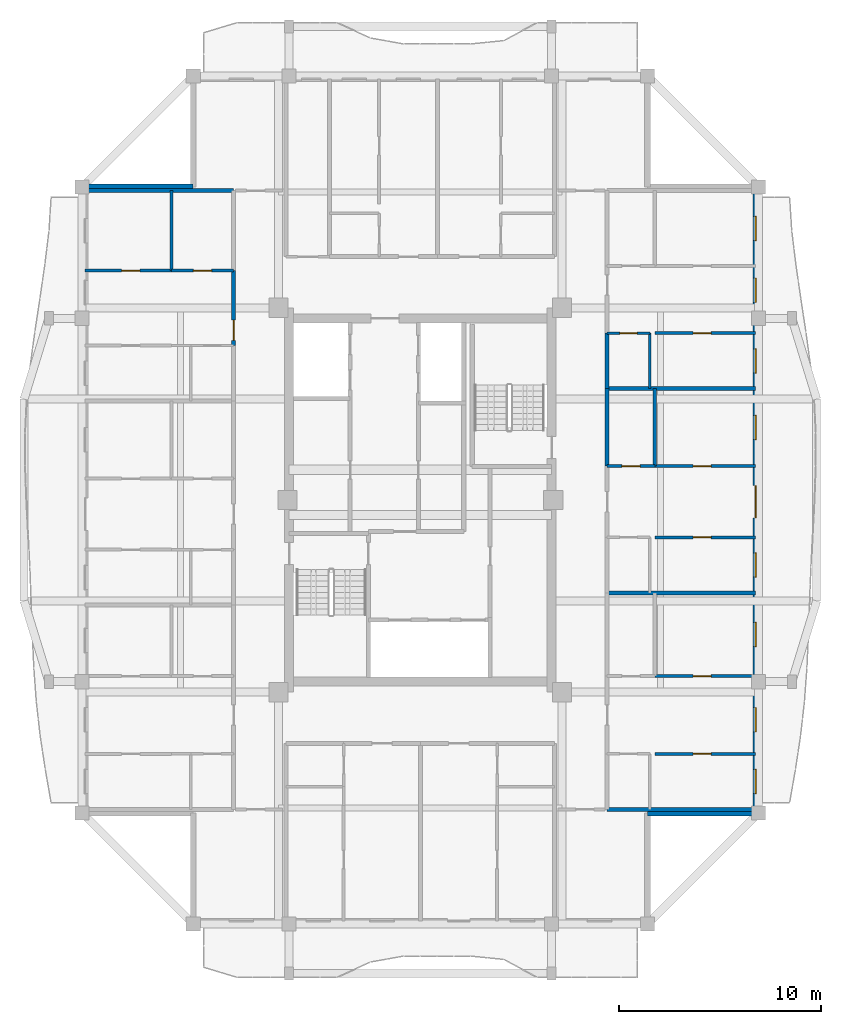
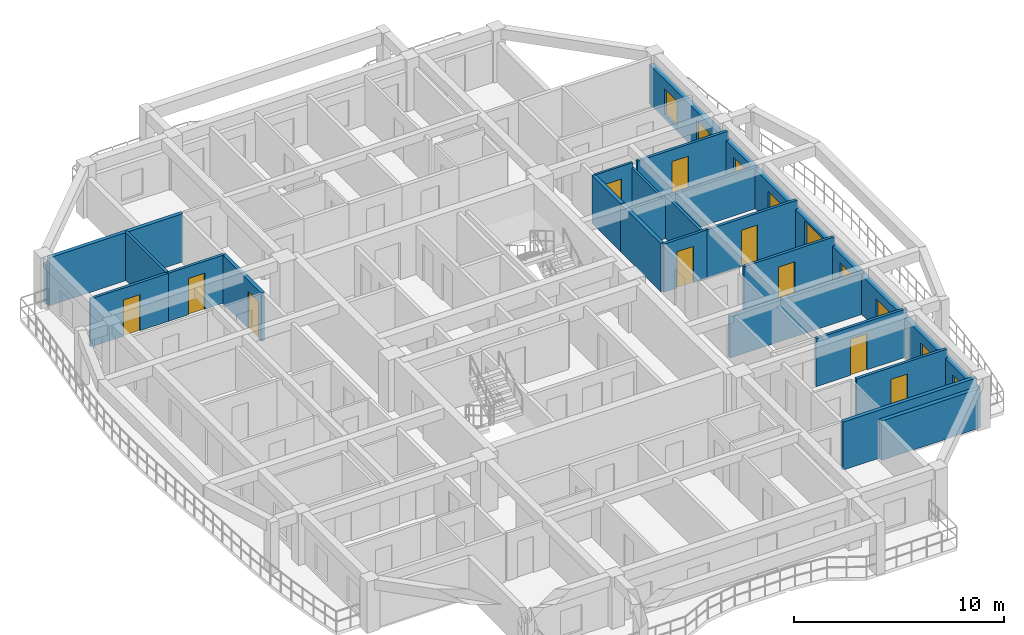
# One storey, part 5 of 13: 22 walls, 11 doors, 8 windows, 19 openings.
"""IFC4 building model written with IfcOpenShell, lengths in metres."""

import ifcopenshell
import ifcopenshell.guid

model = None  # the IFC model being written
_history = None  # IfcOwnerHistory: only IFC2X3 demands one
_inside = {}  # id of a spatial element -> (the spatial element, [elements in it])
_under = {}  # id of a project, library or spatial element -> (it, [spatial elements below it])
_declared = {}  # id of a project -> (the project, [libraries it declares])
_typed = {}  # id of a type object -> (the type object, [elements of that type])
_made_of = {}  # id of a material, layer set ... -> (it, [elements and type objects made of it])


def new_model(schema):
    """Start an empty IFC model of exactly this schema.

    Asked for "IFC4X3", IfcOpenShell would pick the latest addendum, in which some entities
    have other attributes; the version numbers below select the first issue.
    IFC2X3 requires an IfcOwnerHistory on every rooted entity: one is made here for all.
    """
    global model, _history
    if schema == "IFC4X3":
        model = ifcopenshell.file(schema_version=(4, 3, 0, 0))
    else:
        model = ifcopenshell.file(schema=schema)
    _inside.clear()
    _under.clear()
    _declared.clear()
    _typed.clear()
    _made_of.clear()
    _history = None
    if model.schema == "IFC2X3":
        org = make("IfcOrganization", Name="unknown")
        user = make(
            "IfcPersonAndOrganization",
            ThePerson=make("IfcPerson", FamilyName="unknown"),
            TheOrganization=org,
        )
        app = make(
            "IfcApplication",
            ApplicationDeveloper=org,
            Version="unknown",
            ApplicationFullName="unknown",
            ApplicationIdentifier="unknown",
        )
        _history = make(
            "IfcOwnerHistory",
            OwningUser=user,
            OwningApplication=app,
            ChangeAction="ADDED",
            CreationDate=0,
        )
    return model


def make(cls, **values):
    """One entity of the class cls with the attributes given. An attribute that is None is left unset."""
    return model.create_entity(
        cls, **{name: value for name, value in values.items() if value is not None}
    )


def rooted(cls, **values):
    """An entity with a GlobalId (a new one), such as an element, a storey or a relation."""
    return make(cls, GlobalId=ifcopenshell.guid.new(), OwnerHistory=_history, **values)


def si_unit(unit_type, name, prefix=None):
    """IfcSIUnit, for example si_unit("LENGTHUNIT", "METRE", prefix="MILLI")."""
    return make("IfcSIUnit", UnitType=unit_type, Prefix=prefix, Name=name)


def assignment(units):
    """IfcUnitAssignment: the units of a project."""
    return None if units is None else make("IfcUnitAssignment", Units=units)


def point(xyz):
    """IfcCartesianPoint."""
    return None if xyz is None else make("IfcCartesianPoint", Coordinates=xyz)


def direction(xyz):
    """IfcDirection."""
    return None if xyz is None else make("IfcDirection", DirectionRatios=xyz)


def frame(location, z_axis=None, x_axis=None):
    """IfcAxis2Placement3D, a coordinate frame: its origin and axes. An axis left out is left unset."""
    return make(
        "IfcAxis2Placement3D",
        Location=point(location),
        Axis=direction(z_axis),
        RefDirection=direction(x_axis),
    )


def frame_2d(location, x_axis=None):
    """IfcAxis2Placement2D, a coordinate frame in the plane: its origin and x axis."""
    return make(
        "IfcAxis2Placement2D", Location=point(location), RefDirection=direction(x_axis)
    )


def origin():
    """The frame at (0, 0, 0) with its axes left unset."""
    return frame((0.0, 0.0, 0.0))


def place(relative_to, where):
    """IfcLocalPlacement: puts the frame where relative to a parent placement (None: the world)."""
    return make(
        "IfcLocalPlacement", PlacementRelTo=relative_to, RelativePlacement=where
    )


def context(
    kind, dimensions, precision=None, world=None, true_north=None, identifier=None
):
    """IfcGeometricRepresentationContext, for example the 3D "Model" context."""
    return make(
        "IfcGeometricRepresentationContext",
        ContextIdentifier=identifier,
        ContextType=kind,
        CoordinateSpaceDimension=dimensions,
        Precision=precision,
        WorldCoordinateSystem=world,
        TrueNorth=true_north,
    )


def subcontext(parent, identifier, kind, view, scale=None):
    """IfcGeometricRepresentationSubContext, for example "Body" below "Model"."""
    return make(
        "IfcGeometricRepresentationSubContext",
        ContextIdentifier=identifier,
        ContextType=kind,
        ParentContext=parent,
        TargetScale=scale,
        TargetView=view,
    )


def project(units=None, contexts=None):
    """IfcProject with its units and contexts."""
    return rooted(
        "IfcProject",
        Name="project",
        RepresentationContexts=contexts,
        UnitsInContext=assignment(units),
    )


def spatial(cls, under=None, at=None, **own):
    """A site, building, storey or space (cls), placed at a placement, below another one or the project."""
    s = rooted(cls, ObjectPlacement=at, **own)
    if under is not None:
        _under.setdefault(under.id(), (under, []))[1].append(s)
    return s


def profile(cls, at=None, kind="AREA", **sizes):
    """A parametric profile (cls). Its sizes go by their IFC names, for example OverallWidth=200.0."""
    return make(cls, ProfileType=kind, Position=at, **sizes)


def rectangle(**sizes):
    """IfcRectangleProfileDef."""
    return profile("IfcRectangleProfileDef", **sizes)


def extrude(swept, where, along, depth):
    """IfcExtrudedAreaSolid: the profile swept, set in the frame where, extruded along a direction by depth."""
    return make(
        "IfcExtrudedAreaSolid",
        SweptArea=swept,
        Position=where,
        ExtrudedDirection=direction(along),
        Depth=depth,
    )


def shape(context_of_items, identifier, shape_type, items):
    """IfcShapeRepresentation: the items that make up one representation, for example the "Body"."""
    return make(
        "IfcShapeRepresentation",
        ContextOfItems=context_of_items,
        RepresentationIdentifier=identifier,
        RepresentationType=shape_type,
        Items=items,
    )


def source(mapping_origin, context_of_items, identifier, shape_type, items):
    """IfcRepresentationMap: a shape defined once, which mapped items show again and again."""
    return make(
        "IfcRepresentationMap",
        MappingOrigin=mapping_origin,
        MappedRepresentation=shape(context_of_items, identifier, shape_type, items),
    )


def transform(
    local_origin,
    x_axis=None,
    y_axis=None,
    z_axis=None,
    scale=None,
    scale2=None,
    scale3=None,
    uniform=True,
):
    """IfcCartesianTransformationOperator3D, or its non-uniform kind. x_axis, y_axis, z_axis: its Axis1, 2, 3."""
    if uniform:
        return make(
            "IfcCartesianTransformationOperator3D",
            Axis1=direction(x_axis),
            Axis2=direction(y_axis),
            LocalOrigin=point(local_origin),
            Scale=scale,
            Axis3=direction(z_axis),
        )
    return make(
        "IfcCartesianTransformationOperator3DnonUniform",
        Axis1=direction(x_axis),
        Axis2=direction(y_axis),
        LocalOrigin=point(local_origin),
        Scale=scale,
        Axis3=direction(z_axis),
        Scale2=scale2,
        Scale3=scale3,
    )


def mapped(mapping_source, mapping_target):
    """IfcMappedItem: shows the shape of a source again, moved by a transform."""
    return make(
        "IfcMappedItem", MappingSource=mapping_source, MappingTarget=mapping_target
    )


def material(Name=None, Category=None):
    """IfcMaterial."""
    return make("IfcMaterial", Name=Name, Category=Category)


def layer(
    of_material, thickness, ventilated=None, Name=None, Category=None, Priority=None
):
    """IfcMaterialLayer: one layer of a wall or slab, of a material (None: an air gap)."""
    return make(
        "IfcMaterialLayer",
        Material=of_material,
        LayerThickness=thickness,
        IsVentilated=ventilated,
        Name=Name,
        Category=Category,
        Priority=Priority,
    )


def layer_set(layers, Name=None):
    """IfcMaterialLayerSet."""
    return make("IfcMaterialLayerSet", MaterialLayers=layers, LayerSetName=Name)


def made_of(thing, what):
    """Note that an element or type object is made of a material, layer set ...; save() writes the relation."""
    if what is not None:
        _made_of.setdefault(what.id(), (what, []))[1].append(thing)
    return thing


def type_object(cls, material=None, **own):
    """A type object (cls), such as IfcWallType, which elements share."""
    return made_of(rooted(cls, **own), material)


def element(
    cls,
    number,
    at=None,
    inside=None,
    cuts=None,
    type_object=None,
    material=None,
    context=None,
    identifier="Body",
    shape_type=None,
    held_by="IfcProductDefinitionShape",
    body=None,
    shapes=None,
    **own,
):
    """One element of the class cls, such as IfcWall. Its Tag is "e" and its number.

    at: its placement. inside: the storey or other place that contains it. cuts: it is an
    opening in that element (IfcRelVoidsElement). A single representation is given by context,
    identifier, shape_type and body (its items); several are given by shapes. held_by: the class
    of the entity that holds the representations. save() writes the other relations.
    """
    e = rooted(cls, Tag="e%d" % number, ObjectPlacement=at, **own)
    if body is not None:
        shapes = [shape(context, identifier, shape_type, body)]
    if shapes is not None:
        e.Representation = make(held_by, Representations=shapes)
    if inside is not None:
        _inside.setdefault(inside.id(), (inside, []))[1].append(e)
    if cuts is not None:
        rooted(
            "IfcRelVoidsElement", RelatingBuildingElement=cuts, RelatedOpeningElement=e
        )
    if type_object is not None:
        _typed.setdefault(type_object.id(), (type_object, []))[1].append(e)
    return made_of(e, material)


def fill(opening, filler):
    """IfcRelFillsElement: the door or window that sits in an opening."""
    return rooted(
        "IfcRelFillsElement",
        RelatingOpeningElement=opening,
        RelatedBuildingElement=filler,
    )


def aggregate(whole, parts):
    """IfcRelAggregates: a whole, such as a stair, and the parts it consists of."""
    return rooted("IfcRelAggregates", RelatingObject=whole, RelatedObjects=parts)


def save(model, path):
    """Write the relations noted so far, then the file.

    IfcRelAggregates (storeys below a building ...), IfcRelContainedInSpatialStructure (elements
    in a storey), IfcRelDefinesByType, IfcRelAssociatesMaterial and IfcRelDeclares: one each for
    every whole, place, type object, material and project.
    """
    for whole, parts in _under.values():
        aggregate(whole, parts)
    for where, things in _inside.values():
        rooted(
            "IfcRelContainedInSpatialStructure",
            RelatedElements=things,
            RelatingStructure=where,
        )
    for kind, things in _typed.values():
        rooted("IfcRelDefinesByType", RelatedObjects=things, RelatingType=kind)
    for what, things in _made_of.values():
        rooted("IfcRelAssociatesMaterial", RelatedObjects=things, RelatingMaterial=what)
    for by, libraries in _declared.values():
        rooted("IfcRelDeclares", RelatingContext=by, RelatedDefinitions=libraries)
    model.write(path)


model = new_model("IFC4")

# Units and contexts
model_context = context("Model", 3, precision=1e-05, world=origin(), true_north=direction((0.0, 1.0)))
body_context = subcontext(model_context, "Body", "Model", "MODEL_VIEW")
ifc_project = project(units=[si_unit("LENGTHUNIT", "METRE"), si_unit("AREAUNIT", "SQUARE_METRE"), si_unit("VOLUMEUNIT", "CUBIC_METRE"), si_unit("PLANEANGLEUNIT", "RADIAN"), si_unit("MASSUNIT", "GRAM", prefix="KILO")], contexts=[model_context])

# Site, building, storey
site_placement = place(None, origin())
site = spatial("IfcSite", under=ifc_project, at=site_placement, CompositionType="ELEMENT")
building_placement = place(site_placement, origin())
building = spatial("IfcBuilding", under=site, at=building_placement, Name="Saelheon Loggia Tower", CompositionType="ELEMENT")
storey_placement = place(building_placement, frame((0.0, 0.0, 220.199951171875)))
storey = spatial("IfcBuildingStorey", under=building, at=storey_placement, Name="L68", CompositionType="ELEMENT", Elevation=220.199951171875)

# Wall, openings, windows, door
ifc_material_1 = material(Name="Architectural Precast Concrete C40/50", Category="concrete")
ifc_layer_1 = layer(ifc_material_1, 0.280029296875)
ifc_layer_set_1 = layer_set([ifc_layer_1], Name="Architectural Precast Concrete C40/50")
wall_type_1 = type_object("IfcWallType", Name="Wall_Ext_Loggia_280", PredefinedType="SOLIDWALL", material=ifc_layer_set_1)
wall_1_placement = place(storey_placement, frame((54.610107421875, 11.5, 0.0), z_axis=(0.0, 0.0, 1.0), x_axis=(0.0, 1.0, 0.0)))
wall_1 = element("IfcWall", 1, at=wall_1_placement, inside=storey, type_object=wall_type_1, Name="L68 East Loggia Inner Wall", PredefinedType="SOLIDWALL", context=body_context, shape_type="SweptSolid", body=[
    extrude(rectangle(XDim=31.0, YDim=0.280029296875, at=frame_2d((15.5, 0.0))), origin(), (0.0, 0.0, 1.0), 2.280029296875),
])
opening_1_placement = place(wall_1_placement, frame((0.9599609375, 0.0, 0.25)))
opening_1 = element("IfcOpeningElement", 2, at=opening_1_placement, cuts=wall_1, Name="Opening WN-03", PredefinedType="OPENING", context=body_context, shape_type="SweptSolid", body=[
    extrude(rectangle(XDim=1.199951171875, YDim=1.5, at=frame_2d((0.60009765625, 0.75))), frame((0.0, 0.152099609375, 0.0), z_axis=(0.0, -1.0, 0.0), x_axis=(1.0, 0.0, 0.0)), (0.0, 0.0, 1.0), 0.303955078125),
])
opening_2_placement = place(wall_1_placement, frame((4.02001953125, 0.0, 0.25)))
opening_2 = element("IfcOpeningElement", 3, at=opening_2_placement, cuts=wall_1, Name="Opening WN-03", PredefinedType="OPENING", context=body_context, shape_type="SweptSolid", body=[
    extrude(rectangle(XDim=1.199951171875, YDim=1.5, at=frame_2d((0.60009765625, 0.75))), frame((0.0, 0.152099609375, 0.0), z_axis=(0.0, -1.0, 0.0), x_axis=(1.0, 0.0, 0.0)), (0.0, 0.0, 1.0), 0.303955078125),
])
opening_3_placement = place(wall_1_placement, frame((8.241943359375, 0.0, 0.25)))
opening_3 = element("IfcOpeningElement", 4, at=opening_3_placement, cuts=wall_1, Name="Opening WN-03", PredefinedType="OPENING", context=body_context, shape_type="SweptSolid", body=[
    extrude(rectangle(XDim=1.199951171875, YDim=1.5, at=frame_2d((0.60009765625, 0.75))), frame((0.0, 0.152099609375, 0.0), z_axis=(0.0, -1.0, 0.0), x_axis=(1.0, 0.0, 0.0)), (0.0, 0.0, 1.0), 0.303955078125),
])
opening_4_placement = place(wall_1_placement, frame((11.678955078125, 0.0, 0.25)))
opening_4 = element("IfcOpeningElement", 5, at=opening_4_placement, cuts=wall_1, Name="Opening WN-03", PredefinedType="OPENING", context=body_context, shape_type="SweptSolid", body=[
    extrude(rectangle(XDim=1.199951171875, YDim=1.5, at=frame_2d((0.60009765625, 0.75))), frame((0.0, 0.152099609375, 0.0), z_axis=(0.0, -1.0, 0.0), x_axis=(1.0, 0.0, 0.0)), (0.0, 0.0, 1.0), 0.303955078125),
])
opening_5_placement = place(wall_1_placement, frame((16.21337890625, 0.0, 0.0), z_axis=(0.0, 0.0, 1.0), x_axis=(-1.0, 0.0, 0.0)))
opening_5 = element("IfcOpeningElement", 6, at=opening_5_placement, cuts=wall_1, Name="Opening DLG-1", PredefinedType="OPENING", context=body_context, shape_type="SweptSolid", body=[
    extrude(rectangle(XDim=1.60009765625, YDim=2.14990234375, at=frame_2d((0.800048828125, 1.074951171875))), frame((0.0, 0.152099609375, 0.0), z_axis=(0.0, -1.0, 0.0), x_axis=(1.0, 0.0, 0.0)), (0.0, 0.0, 1.0), 0.303955078125),
])
opening_6_placement = place(wall_1_placement, frame((18.493896484375, 0.0, 0.25)))
opening_6 = element("IfcOpeningElement", 7, at=opening_6_placement, cuts=wall_1, Name="Opening WN-03", PredefinedType="OPENING", context=body_context, shape_type="SweptSolid", body=[
    extrude(rectangle(XDim=1.199951171875, YDim=1.5, at=frame_2d((0.60009765625, 0.75))), frame((0.0, 0.152099609375, 0.0), z_axis=(0.0, -1.0, 0.0), x_axis=(1.0, 0.0, 0.0)), (0.0, 0.0, 1.0), 0.303955078125),
])
opening_7_placement = place(wall_1_placement, frame((21.787841796875, 0.0, 0.25)))
opening_7 = element("IfcOpeningElement", 8, at=opening_7_placement, cuts=wall_1, Name="Opening WN-03", PredefinedType="OPENING", context=body_context, shape_type="SweptSolid", body=[
    extrude(rectangle(XDim=1.199951171875, YDim=1.5, at=frame_2d((0.60009765625, 0.75))), frame((0.0, 0.152099609375, 0.0), z_axis=(0.0, -1.0, 0.0), x_axis=(1.0, 0.0, 0.0)), (0.0, 0.0, 1.0), 0.303955078125),
])
opening_8_placement = place(wall_1_placement, frame((25.2919921875, 0.0, 0.25)))
opening_8 = element("IfcOpeningElement", 9, at=opening_8_placement, cuts=wall_1, Name="Opening WN-03", PredefinedType="OPENING", context=body_context, shape_type="SweptSolid", body=[
    extrude(rectangle(XDim=1.199951171875, YDim=1.5, at=frame_2d((0.60009765625, 0.75))), frame((0.0, 0.152099609375, 0.0), z_axis=(0.0, -1.0, 0.0), x_axis=(1.0, 0.0, 0.0)), (0.0, 0.0, 1.0), 0.303955078125),
])
opening_9_placement = place(wall_1_placement, frame((28.35205078125, 0.0, 0.25)))
opening_9 = element("IfcOpeningElement", 10, at=opening_9_placement, cuts=wall_1, Name="Opening WN-03", PredefinedType="OPENING", context=body_context, shape_type="SweptSolid", body=[
    extrude(rectangle(XDim=1.199951171875, YDim=1.5, at=frame_2d((0.60009765625, 0.75))), frame((0.0, 0.152099609375, 0.0), z_axis=(0.0, -1.0, 0.0), x_axis=(1.0, 0.0, 0.0)), (0.0, 0.0, 1.0), 0.303955078125),
])
ifc_material_2 = material(Name="Thermal-Break Aluminium and Triple Low-E Glass", Category="aluminium")
window_type = type_object("IfcWindowType", Name="Win_Bedroom_1200x1500", PartitioningType="SINGLE_PANEL", PredefinedType="WINDOW", material=ifc_material_2)
shared_shape_1 = source(origin(), body_context, "Body", "SweptSolid", [
    extrude(rectangle(XDim=1.199951171875, YDim=1.5, at=frame_2d((0.60009765625, 0.75))), frame((0.0, 0.030029296875, 0.0), z_axis=(0.0, -1.0, 0.0), x_axis=(1.0, 0.0, 0.0)), (0.0, 0.0, 1.0), 0.06005859375),
])
window_1_placement = place(opening_1_placement, origin())
window_1 = element("IfcWindow", 11, at=window_1_placement, inside=storey, type_object=window_type, Name="L68 E Dwelling Window 1", OverallHeight=1.5, OverallWidth=1.199951171875, PartitioningType="SINGLE_PANEL", PredefinedType="WINDOW", context=body_context, shape_type="MappedRepresentation", body=[
    mapped(shared_shape_1, transform((0.0, 0.0, 0.0), scale=1.0)),
])
fill(opening_1, window_1)
window_2_placement = place(opening_2_placement, origin())
window_2 = element("IfcWindow", 12, at=window_2_placement, inside=storey, type_object=window_type, Name="L68 E Dwelling Window 2", OverallHeight=1.5, OverallWidth=1.199951171875, PartitioningType="SINGLE_PANEL", PredefinedType="WINDOW", context=body_context, shape_type="MappedRepresentation", body=[
    mapped(shared_shape_1, transform((0.0, 0.0, 0.0), scale=1.0)),
])
fill(opening_2, window_2)
window_3_placement = place(opening_3_placement, origin())
window_3 = element("IfcWindow", 13, at=window_3_placement, inside=storey, type_object=window_type, Name="L68 E Dwelling Window 3", OverallHeight=1.5, OverallWidth=1.199951171875, PartitioningType="SINGLE_PANEL", PredefinedType="WINDOW", context=body_context, shape_type="MappedRepresentation", body=[
    mapped(shared_shape_1, transform((0.0, 0.0, 0.0), scale=1.0)),
])
fill(opening_3, window_3)
window_4_placement = place(opening_4_placement, origin())
window_4 = element("IfcWindow", 14, at=window_4_placement, inside=storey, type_object=window_type, Name="L68 E Dwelling Window 4", OverallHeight=1.5, OverallWidth=1.199951171875, PartitioningType="SINGLE_PANEL", PredefinedType="WINDOW", context=body_context, shape_type="MappedRepresentation", body=[
    mapped(shared_shape_1, transform((0.0, 0.0, 0.0), scale=1.0)),
])
fill(opening_4, window_4)
window_5_placement = place(opening_6_placement, origin())
window_5 = element("IfcWindow", 15, at=window_5_placement, inside=storey, type_object=window_type, Name="L68 E Dwelling Window 6", OverallHeight=1.5, OverallWidth=1.199951171875, PartitioningType="SINGLE_PANEL", PredefinedType="WINDOW", context=body_context, shape_type="MappedRepresentation", body=[
    mapped(shared_shape_1, transform((0.0, 0.0, 0.0), scale=1.0)),
])
fill(opening_6, window_5)
window_6_placement = place(opening_7_placement, origin())
window_6 = element("IfcWindow", 16, at=window_6_placement, inside=storey, type_object=window_type, Name="L68 E Dwelling Window 7", OverallHeight=1.5, OverallWidth=1.199951171875, PartitioningType="SINGLE_PANEL", PredefinedType="WINDOW", context=body_context, shape_type="MappedRepresentation", body=[
    mapped(shared_shape_1, transform((0.0, 0.0, 0.0), scale=1.0)),
])
fill(opening_7, window_6)
window_7_placement = place(opening_8_placement, origin())
window_7 = element("IfcWindow", 17, at=window_7_placement, inside=storey, type_object=window_type, Name="L68 E Dwelling Window 8", OverallHeight=1.5, OverallWidth=1.199951171875, PartitioningType="SINGLE_PANEL", PredefinedType="WINDOW", context=body_context, shape_type="MappedRepresentation", body=[
    mapped(shared_shape_1, transform((0.0, 0.0, 0.0), scale=1.0)),
])
fill(opening_8, window_7)
window_8_placement = place(opening_9_placement, origin())
window_8 = element("IfcWindow", 18, at=window_8_placement, inside=storey, type_object=window_type, Name="L68 E Dwelling Window 9", OverallHeight=1.5, OverallWidth=1.199951171875, PartitioningType="SINGLE_PANEL", PredefinedType="WINDOW", context=body_context, shape_type="MappedRepresentation", body=[
    mapped(shared_shape_1, transform((0.0, 0.0, 0.0), scale=1.0)),
])
fill(opening_9, window_8)
ifc_material_3 = material(Name="Thermal-Break Aluminium Sliding Glazed Door", Category="aluminium")
door_type_1 = type_object("IfcDoorType", Name="Door_LoggiaSlide_1600", OperationType="SLIDING_TO_LEFT", PredefinedType="DOOR", material=ifc_material_3)
shared_shape_2 = source(origin(), body_context, "Body", "SweptSolid", [
    extrude(rectangle(XDim=1.60009765625, YDim=2.14990234375, at=frame_2d((0.800048828125, 1.074951171875))), frame((0.0, 0.02490234375, 0.0), z_axis=(0.0, -1.0, 0.0), x_axis=(1.0, 0.0, 0.0)), (0.0, 0.0, 1.0), 0.050048828125),
])
door_1_placement = place(opening_5_placement, origin())
door_1 = element("IfcDoor", 19, at=door_1_placement, inside=storey, type_object=door_type_1, Name="L68 E Loggia Access Door", OperationType="SLIDING_TO_LEFT", OverallHeight=2.14990234375, OverallWidth=1.60009765625, PredefinedType="DOOR", context=body_context, shape_type="MappedRepresentation", body=[
    mapped(shared_shape_2, transform((0.0, 0.0, 0.0), scale=1.0)),
])
fill(opening_5, door_1)

# Walls
for number, where, z_axis, x_axis, name in (
    (20, (49.25, 11.5, 0.0), (0.0, 0.0, 1.0), (1.0, 0.0, 0.0), "L68 Corner Notch Precast Wall SE2"),
    (21, (21.330078125, 42.5, 0.0), (0.0, 0.0, 1.0), (1.0, 0.0, 0.0), "L68 Corner Notch Precast Wall NW2"),
):
    element("IfcWall", number, at=place(storey_placement, frame(where, z_axis=z_axis, x_axis=x_axis)), inside=storey, type_object=wall_type_1, Name=name, PredefinedType="SOLIDWALL", context=body_context, shape_type="SweptSolid", body=[
        extrude(rectangle(XDim=5.419921875, YDim=0.280029296875, at=frame_2d((2.7099609375, 0.0))), origin(), (0.0, 0.0, 1.0), 2.280029296875),
    ])
ifc_material_4 = material(Name="Lightweight Autoclaved Aerated Concrete Block and Acoustic Gypsum", Category="concrete")
ifc_layer_2 = layer(ifc_material_4, 0.14990234375)
ifc_layer_set_2 = layer_set([ifc_layer_2], Name="Lightweight Autoclaved Aerated Concrete Block and Acoustic Gypsum")
wall_type_2 = type_object("IfcWallType", Name="Wall_Part_150", PredefinedType="PARTITIONING", material=ifc_layer_set_2)
wall_2_placement = place(storey_placement, frame((25.669921875, 38.361328125, 0.0), z_axis=(0.0, 0.0, 1.0), x_axis=(0.0, 1.0, 0.0)))
element("IfcWall", 22, at=wall_2_placement, inside=storey, type_object=wall_type_2, Name="L68 W Partition V29", PredefinedType="PARTITIONING", context=body_context, shape_type="SweptSolid", body=[
    extrude(rectangle(XDim=3.958740234375, YDim=0.14990234375, at=frame_2d((1.9794921875, 0.0))), origin(), (0.0, 0.0, 1.0), 2.7900390625),
])

# Wall, opening, door
wall_3_placement = place(storey_placement, frame((28.75, 38.361328125, 0.0), z_axis=(0.0, 0.0, 1.0), x_axis=(-1.0, 0.0, 0.0)))
wall_3 = element("IfcWall", 23, at=wall_3_placement, inside=storey, type_object=wall_type_2, Name="L68 W Partition U33", PredefinedType="PARTITIONING", context=body_context, shape_type="SweptSolid", body=[
    extrude(rectangle(XDim=3.080078125, YDim=0.14990234375, at=frame_2d((1.5400390625, 0.0))), origin(), (0.0, 0.0, 1.0), 2.7900390625),
])
opening_10_placement = place(wall_3_placement, frame((1.090087890625, 0.0, 0.0)))
opening_10 = element("IfcOpeningElement", 24, at=opening_10_placement, cuts=wall_3, Name="Opening D-IN2", PredefinedType="OPENING", context=body_context, shape_type="SweptSolid", body=[
    extrude(rectangle(XDim=0.89990234375, YDim=2.10009765625, at=frame_2d((0.449951171875, 1.050048828125))), frame((0.0, 0.0869140625, 0.0), z_axis=(0.0, -1.0, 0.0), x_axis=(1.0, 0.0, 0.0)), (0.0, 0.0, 1.0), 0.173828125),
])
ifc_material_5 = material(Name="Engineered Oak Flush Door", Category="timber")
door_type_2 = type_object("IfcDoorType", Name="Door_Int_900", OperationType="NOTDEFINED", PredefinedType="DOOR", material=ifc_material_5)
shared_shape_3 = source(origin(), body_context, "Body", "SweptSolid", [
    extrude(rectangle(XDim=0.89990234375, YDim=2.10009765625, at=frame_2d((0.449951171875, 1.050048828125))), frame((0.0, 0.02490234375, 0.0), z_axis=(0.0, -1.0, 0.0), x_axis=(1.0, 0.0, 0.0)), (0.0, 0.0, 1.0), 0.050048828125),
])
door_2_placement = place(opening_10_placement, origin())
door_2 = element("IfcDoor", 25, at=door_2_placement, inside=storey, type_object=door_type_2, Name="Unit U07 Dressing Closet Door", OperationType="SINGLE_SWING_RIGHT", OverallHeight=2.10009765625, OverallWidth=0.89990234375, PredefinedType="DOOR", context=body_context, shape_type="MappedRepresentation", body=[
    mapped(shared_shape_3, transform((0.0, 0.0, 0.0), scale=1.0)),
])
fill(opening_10, door_2)

wall_4_placement = place(storey_placement, frame((25.669921875, 38.361328125, 0.0), z_axis=(0.0, 0.0, 1.0), x_axis=(-1.0, 0.0, 0.0)))
wall_4 = element("IfcWall", 26, at=wall_4_placement, inside=storey, type_object=wall_type_2, Name="L68 W Partition U34", PredefinedType="PARTITIONING", context=body_context, shape_type="SweptSolid", body=[
    extrude(rectangle(XDim=4.27001953125, YDim=0.14990234375, at=frame_2d((2.135009765625, 0.0))), origin(), (0.0, 0.0, 1.0), 2.7900390625),
])
opening_11_placement = place(wall_4_placement, frame((1.564697265625, 0.0, 0.0)))
opening_11 = element("IfcOpeningElement", 27, at=opening_11_placement, cuts=wall_4, Name="Opening D-IN2", PredefinedType="OPENING", context=body_context, shape_type="SweptSolid", body=[
    extrude(rectangle(XDim=0.89990234375, YDim=2.10009765625, at=frame_2d((0.449951171875, 1.050048828125))), frame((0.0, 0.0869140625, 0.0), z_axis=(0.0, -1.0, 0.0), x_axis=(1.0, 0.0, 0.0)), (0.0, 0.0, 1.0), 0.173828125),
])
door_3_placement = place(opening_11_placement, origin())
door_3 = element("IfcDoor", 28, at=door_3_placement, inside=storey, type_object=door_type_2, Name="Unit U07 Bedroom 1 Door", OperationType="SINGLE_SWING_LEFT", OverallHeight=2.10009765625, OverallWidth=0.89990234375, PredefinedType="DOOR", context=body_context, shape_type="MappedRepresentation", body=[
    mapped(shared_shape_3, transform((0.0, 0.0, 0.0), scale=1.0)),
])
fill(opening_11, door_3)

wall_5_placement = place(storey_placement, frame((49.610107421875, 14.429931640625, 0.0), z_axis=(0.0, 0.0, 1.0), x_axis=(1.0, 0.0, 0.0)))
wall_5 = element("IfcWall", 29, at=wall_5_placement, inside=storey, type_object=wall_type_2, Name="L68 E Partition U09", PredefinedType="PARTITIONING", context=body_context, shape_type="SweptSolid", body=[
    extrude(rectangle(XDim=4.989990234375, YDim=0.14990234375, at=frame_2d((2.4951171875, 0.0))), origin(), (0.0, 0.0, 1.0), 2.7900390625),
])
opening_12_placement = place(wall_5_placement, frame((1.89453125, 0.0, 0.0)))
opening_12 = element("IfcOpeningElement", 30, at=opening_12_placement, cuts=wall_5, Name="Opening D-IN2", PredefinedType="OPENING", context=body_context, shape_type="SweptSolid", body=[
    extrude(rectangle(XDim=0.89990234375, YDim=2.10009765625, at=frame_2d((0.449951171875, 1.050048828125))), frame((0.0, 0.0869140625, 0.0), z_axis=(0.0, -1.0, 0.0), x_axis=(1.0, 0.0, 0.0)), (0.0, 0.0, 1.0), 0.173828125),
])
door_4_placement = place(opening_12_placement, origin())
door_4 = element("IfcDoor", 31, at=door_4_placement, inside=storey, type_object=door_type_2, Name="Unit U08 Kitchen Door", OperationType="SINGLE_SWING_RIGHT", OverallHeight=2.10009765625, OverallWidth=0.89990234375, PredefinedType="DOOR", context=body_context, shape_type="MappedRepresentation", body=[
    mapped(shared_shape_3, transform((0.0, 0.0, 0.0), scale=1.0)),
])
fill(opening_12, door_4)

wall_6_placement = place(storey_placement, frame((49.610107421875, 18.280029296875, 0.0), z_axis=(0.0, 0.0, 1.0), x_axis=(1.0, 0.0, 0.0)))
wall_6 = element("IfcWall", 32, at=wall_6_placement, inside=storey, type_object=wall_type_2, Name="L68 E Partition U11", PredefinedType="PARTITIONING", context=body_context, shape_type="SweptSolid", body=[
    extrude(rectangle(XDim=4.989990234375, YDim=0.14990234375, at=frame_2d((2.4951171875, 0.0))), origin(), (0.0, 0.0, 1.0), 2.7900390625),
])
opening_13_placement = place(wall_6_placement, frame((1.89453125, 0.0, 0.0)))
opening_13 = element("IfcOpeningElement", 33, at=opening_13_placement, cuts=wall_6, Name="Opening D-IN2", PredefinedType="OPENING", context=body_context, shape_type="SweptSolid", body=[
    extrude(rectangle(XDim=0.89990234375, YDim=2.10009765625, at=frame_2d((0.449951171875, 1.050048828125))), frame((0.0, 0.0869140625, 0.0), z_axis=(0.0, -1.0, 0.0), x_axis=(1.0, 0.0, 0.0)), (0.0, 0.0, 1.0), 0.173828125),
])
door_5_placement = place(opening_13_placement, origin())
door_5 = element("IfcDoor", 34, at=door_5_placement, inside=storey, type_object=door_type_2, Name="Unit U08 Bedroom 1 Door", OperationType="SINGLE_SWING_RIGHT", OverallHeight=2.10009765625, OverallWidth=0.89990234375, PredefinedType="DOOR", context=body_context, shape_type="MappedRepresentation", body=[
    mapped(shared_shape_3, transform((0.0, 0.0, 0.0), scale=1.0)),
])
fill(opening_13, door_5)

# Wall
wall_7_placement = place(storey_placement, frame((49.610107421875, 28.6728515625, 0.0), z_axis=(0.0, 0.0, 1.0), x_axis=(0.0, 1.0, 0.0)))
element("IfcWall", 35, at=wall_7_placement, inside=storey, type_object=wall_type_2, Name="L68 E Partition V17", PredefinedType="PARTITIONING", context=body_context, shape_type="SweptSolid", body=[
    extrude(rectangle(XDim=3.84228515625, YDim=0.14990234375, at=frame_2d((1.921142578125, 0.0))), origin(), (0.0, 0.0, 1.0), 2.489990234375),
])

# Wall, opening, door
wall_8_placement = place(storey_placement, frame((49.610107421875, 25.154052734375, 0.0), z_axis=(0.0, 0.0, 1.0), x_axis=(1.0, 0.0, 0.0)))
wall_8 = element("IfcWall", 36, at=wall_8_placement, inside=storey, type_object=wall_type_2, Name="L68 E Partition U19", PredefinedType="PARTITIONING", context=body_context, shape_type="SweptSolid", body=[
    extrude(rectangle(XDim=4.989990234375, YDim=0.14990234375, at=frame_2d((2.4951171875, 0.0))), origin(), (0.0, 0.0, 1.0), 2.7900390625),
])
opening_14_placement = place(wall_8_placement, frame((1.89453125, 0.0, 0.0)))
opening_14 = element("IfcOpeningElement", 37, at=opening_14_placement, cuts=wall_8, Name="Opening D-IN2", PredefinedType="OPENING", context=body_context, shape_type="SweptSolid", body=[
    extrude(rectangle(XDim=0.89990234375, YDim=2.10009765625, at=frame_2d((0.449951171875, 1.050048828125))), frame((0.0, 0.0869140625, 0.0), z_axis=(0.0, -1.0, 0.0), x_axis=(1.0, 0.0, 0.0)), (0.0, 0.0, 1.0), 0.173828125),
])
door_6_placement = place(opening_14_placement, origin())
door_6 = element("IfcDoor", 38, at=door_6_placement, inside=storey, type_object=door_type_2, Name="Unit U09 Kitchen Door", OperationType="SINGLE_SWING_LEFT", OverallHeight=2.10009765625, OverallWidth=0.89990234375, PredefinedType="DOOR", context=body_context, shape_type="MappedRepresentation", body=[
    mapped(shared_shape_3, transform((0.0, 0.0, 0.0), scale=1.0)),
])
fill(opening_14, door_6)

wall_9_placement = place(storey_placement, frame((47.25, 28.6728515625, 0.0), z_axis=(0.0, 0.0, 1.0), x_axis=(1.0, 0.0, 0.0)))
wall_9 = element("IfcWall", 39, at=wall_9_placement, inside=storey, type_object=wall_type_2, Name="L68 E Partition U20", PredefinedType="PARTITIONING", context=body_context, shape_type="SweptSolid", body=[
    extrude(rectangle(XDim=2.360107421875, YDim=0.14990234375, at=frame_2d((1.18017578125, 0.0))), origin(), (0.0, 0.0, 1.0), 2.7900390625),
])
opening_15_placement = place(wall_9_placement, frame((0.72998046875, 0.0, 0.0)))
opening_15 = element("IfcOpeningElement", 40, at=opening_15_placement, cuts=wall_9, Name="Opening D-IN2", PredefinedType="OPENING", context=body_context, shape_type="SweptSolid", body=[
    extrude(rectangle(XDim=0.89990234375, YDim=2.10009765625, at=frame_2d((0.449951171875, 1.050048828125))), frame((0.0, 0.0869140625, 0.0), z_axis=(0.0, -1.0, 0.0), x_axis=(1.0, 0.0, 0.0)), (0.0, 0.0, 1.0), 0.173828125),
])
door_7_placement = place(opening_15_placement, origin())
door_7 = element("IfcDoor", 41, at=door_7_placement, inside=storey, type_object=door_type_2, Name="Unit U09 Dressing Closet Door", OperationType="SINGLE_SWING_RIGHT", OverallHeight=2.10009765625, OverallWidth=0.89990234375, PredefinedType="DOOR", context=body_context, shape_type="MappedRepresentation", body=[
    mapped(shared_shape_3, transform((0.0, 0.0, 0.0), scale=1.0)),
])
fill(opening_15, door_7)

wall_10_placement = place(storey_placement, frame((49.610107421875, 28.6728515625, 0.0), z_axis=(0.0, 0.0, 1.0), x_axis=(1.0, 0.0, 0.0)))
wall_10 = element("IfcWall", 42, at=wall_10_placement, inside=storey, type_object=wall_type_2, Name="L68 E Partition U21", PredefinedType="PARTITIONING", context=body_context, shape_type="SweptSolid", body=[
    extrude(rectangle(XDim=4.989990234375, YDim=0.14990234375, at=frame_2d((2.4951171875, 0.0))), origin(), (0.0, 0.0, 1.0), 2.7900390625),
])
opening_16_placement = place(wall_10_placement, frame((1.89453125, 0.0, 0.0)))
opening_16 = element("IfcOpeningElement", 43, at=opening_16_placement, cuts=wall_10, Name="Opening D-IN2", PredefinedType="OPENING", context=body_context, shape_type="SweptSolid", body=[
    extrude(rectangle(XDim=0.89990234375, YDim=2.10009765625, at=frame_2d((0.449951171875, 1.050048828125))), frame((0.0, 0.0869140625, 0.0), z_axis=(0.0, -1.0, 0.0), x_axis=(1.0, 0.0, 0.0)), (0.0, 0.0, 1.0), 0.173828125),
])
door_8_placement = place(opening_16_placement, origin())
door_8 = element("IfcDoor", 44, at=door_8_placement, inside=storey, type_object=door_type_2, Name="Unit U09 Bedroom 1 Door", OperationType="SINGLE_SWING_LEFT", OverallHeight=2.10009765625, OverallWidth=0.89990234375, PredefinedType="DOOR", context=body_context, shape_type="MappedRepresentation", body=[
    mapped(shared_shape_3, transform((0.0, 0.0, 0.0), scale=1.0)),
])
fill(opening_16, door_8)

wall_11_placement = place(storey_placement, frame((49.610107421875, 35.260498046875, 0.0), z_axis=(0.0, 0.0, 1.0), x_axis=(1.0, 0.0, 0.0)))
wall_11 = element("IfcWall", 45, at=wall_11_placement, inside=storey, type_object=wall_type_2, Name="L68 E Partition U29", PredefinedType="PARTITIONING", context=body_context, shape_type="SweptSolid", body=[
    extrude(rectangle(XDim=4.989990234375, YDim=0.14990234375, at=frame_2d((2.4951171875, 0.0))), origin(), (0.0, 0.0, 1.0), 2.7900390625),
])
opening_17_placement = place(wall_11_placement, frame((1.89453125, 0.0, 0.0)))
opening_17 = element("IfcOpeningElement", 46, at=opening_17_placement, cuts=wall_11, Name="Opening D-IN2", PredefinedType="OPENING", context=body_context, shape_type="SweptSolid", body=[
    extrude(rectangle(XDim=0.89990234375, YDim=2.10009765625, at=frame_2d((0.449951171875, 1.050048828125))), frame((0.0, 0.0869140625, 0.0), z_axis=(0.0, -1.0, 0.0), x_axis=(1.0, 0.0, 0.0)), (0.0, 0.0, 1.0), 0.173828125),
])
door_9_placement = place(opening_17_placement, origin())
door_9 = element("IfcDoor", 47, at=door_9_placement, inside=storey, type_object=door_type_2, Name="Unit U10 Kitchen Door", OperationType="SINGLE_SWING_RIGHT", OverallHeight=2.10009765625, OverallWidth=0.89990234375, PredefinedType="DOOR", context=body_context, shape_type="MappedRepresentation", body=[
    mapped(shared_shape_3, transform((0.0, 0.0, 0.0), scale=1.0)),
])
fill(opening_17, door_9)

# Wall
ifc_material_6 = material(Name="Double Acoustic Stud and Fireboard Partition", Category="gypsum")
ifc_layer_3 = layer(ifc_material_6, 0.199951171875)
ifc_layer_set_3 = layer_set([ifc_layer_3], Name="Double Acoustic Stud and Fireboard Partition")
wall_type_3 = type_object("IfcWallType", Name="Wall_Party_200", PredefinedType="PARTITIONING", material=ifc_layer_set_3)
wall_12_placement = place(storey_placement, frame((28.75, 42.320068359375, 0.0), z_axis=(0.0, 0.0, 1.0), x_axis=(-1.0, 0.0, 0.0)))
element("IfcWall", 48, at=wall_12_placement, inside=storey, type_object=wall_type_3, Name="L68 W Partition U02", PredefinedType="PARTITIONING", context=body_context, shape_type="SweptSolid", body=[
    extrude(rectangle(XDim=7.35009765625, YDim=0.199951171875, at=frame_2d((3.675048828125, 0.0))), origin(), (0.0, 0.0, 1.0), 2.7900390625),
])

# Wall, opening, door
wall_13_placement = place(storey_placement, frame((28.75, 34.65234375, 0.0), z_axis=(0.0, 0.0, 1.0), x_axis=(0.0, 1.0, 0.0)))
wall_13 = element("IfcWall", 49, at=wall_13_placement, inside=storey, type_object=wall_type_3, Name="L68 W Partition V26", PredefinedType="PARTITIONING", context=body_context, shape_type="SweptSolid", body=[
    extrude(rectangle(XDim=3.708984375, YDim=0.199951171875, at=frame_2d((1.8544921875, 0.0))), origin(), (0.0, 0.0, 1.0), 2.7900390625),
])
opening_18_placement = place(wall_13_placement, frame((0.260009765625, 0.0, 0.0)))
opening_18 = element("IfcOpeningElement", 50, at=opening_18_placement, cuts=wall_13, Name="Opening D-FD1", PredefinedType="OPENING", context=body_context, shape_type="SweptSolid", body=[
    extrude(rectangle(XDim=1.0, YDim=2.14990234375, at=frame_2d((0.5, 1.074951171875))), frame((0.0, 0.112060546875, 0.0), z_axis=(0.0, -1.0, 0.0), x_axis=(1.0, 0.0, 0.0)), (0.0, 0.0, 1.0), 0.223876953125),
])
ifc_material_7 = material(Name="Fire-Rated Engineered Timber Entrance Door", Category="wood")
door_type_3 = type_object("IfcDoorType", Name="Door_Flat_FD30S", OperationType="NOTDEFINED", PredefinedType="DOOR", material=ifc_material_7)
shared_shape_4 = source(origin(), body_context, "Body", "SweptSolid", [
    extrude(rectangle(XDim=1.0, YDim=2.14990234375, at=frame_2d((0.5, 1.074951171875))), frame((0.0, 0.02490234375, 0.0), z_axis=(0.0, -1.0, 0.0), x_axis=(1.0, 0.0, 0.0)), (0.0, 0.0, 1.0), 0.050048828125),
])
door_10_placement = place(opening_18_placement, origin())
door_10 = element("IfcDoor", 51, at=door_10_placement, inside=storey, type_object=door_type_3, Name="Unit U07 Entrance Door", OperationType="SINGLE_SWING_LEFT", OverallHeight=2.14990234375, OverallWidth=1.0, PredefinedType="DOOR", context=body_context, shape_type="MappedRepresentation", body=[
    mapped(shared_shape_4, transform((0.0, 0.0, 0.0), scale=1.0)),
])
fill(opening_18, door_10)

# Walls
wall_14_placement = place(storey_placement, frame((47.25, 11.679931640625, 0.0), z_axis=(0.0, 0.0, 1.0), x_axis=(1.0, 0.0, 0.0)))
element("IfcWall", 52, at=wall_14_placement, inside=storey, type_object=wall_type_3, Name="L68 E Partition U01", PredefinedType="PARTITIONING", context=body_context, shape_type="SweptSolid", body=[
    extrude(rectangle(XDim=7.35009765625, YDim=0.199951171875, at=frame_2d((3.675048828125, 0.0))), origin(), (0.0, 0.0, 1.0), 2.7900390625),
])
wall_15_placement = place(storey_placement, frame((47.25, 22.404052734375, 0.0), z_axis=(0.0, 0.0, 1.0), x_axis=(1.0, 0.0, 0.0)))
element("IfcWall", 53, at=wall_15_placement, inside=storey, type_object=wall_type_3, Name="L68 E Partition U12", PredefinedType="PARTITIONING", context=body_context, shape_type="SweptSolid", body=[
    extrude(rectangle(XDim=7.35009765625, YDim=0.199951171875, at=frame_2d((3.675048828125, 0.0))), origin(), (0.0, 0.0, 1.0), 2.39013671875),
])
wall_16_placement = place(storey_placement, frame((47.25, 28.6728515625, 0.0), z_axis=(0.0, 0.0, 1.0), x_axis=(0.0, 1.0, 0.0)))
element("IfcWall", 54, at=wall_16_placement, inside=storey, type_object=wall_type_3, Name="L68 E Partition V15", PredefinedType="PARTITIONING", context=body_context, shape_type="SweptSolid", body=[
    extrude(rectangle(XDim=3.84228515625, YDim=0.199951171875, at=frame_2d((1.921142578125, 0.0))), origin(), (0.0, 0.0, 1.0), 2.7900390625),
])
wall_17_placement = place(storey_placement, frame((47.25, 32.51513671875, 0.0), z_axis=(0.0, 0.0, 1.0), x_axis=(1.0, 0.0, 0.0)))
element("IfcWall", 55, at=wall_17_placement, inside=storey, type_object=wall_type_3, Name="L68 E Partition U22", PredefinedType="PARTITIONING", context=body_context, shape_type="SweptSolid", body=[
    extrude(rectangle(XDim=7.35009765625, YDim=0.199951171875, at=frame_2d((3.675048828125, 0.0))), origin(), (0.0, 0.0, 1.0), 2.39013671875),
])
wall_18_placement = place(storey_placement, frame((47.25, 32.51513671875, 0.0), z_axis=(0.0, 0.0, 1.0), x_axis=(0.0, 1.0, 0.0)))
element("IfcWall", 56, at=wall_18_placement, inside=storey, type_object=wall_type_3, Name="L68 E Partition V23", PredefinedType="PARTITIONING", context=body_context, shape_type="SweptSolid", body=[
    extrude(rectangle(XDim=2.745361328125, YDim=0.199951171875, at=frame_2d((1.37255859375, 0.0))), origin(), (0.0, 0.0, 1.0), 2.7900390625),
])
ifc_material_8 = material(Name="Moisture-Resistant Cement Board Partition", Category="gypsum")
ifc_layer_4 = layer(ifc_material_8, 0.1201171875)
ifc_layer_set_4 = layer_set([ifc_layer_4], Name="Moisture-Resistant Cement Board Partition")
wall_type_4 = type_object("IfcWallType", Name="Wall_WetPart_120", PredefinedType="PARTITIONING", material=ifc_layer_set_4)
wall_19_placement = place(storey_placement, frame((49.3701171875, 32.51513671875, 0.0), z_axis=(0.0, 0.0, 1.0), x_axis=(0.0, 1.0, 0.0)))
element("IfcWall", 57, at=wall_19_placement, inside=storey, type_object=wall_type_4, Name="L68 E Partition V26", PredefinedType="PARTITIONING", context=body_context, shape_type="SweptSolid", body=[
    extrude(rectangle(XDim=2.745361328125, YDim=0.1201171875, at=frame_2d((1.37255859375, 0.0))), origin(), (0.0, 0.0, 1.0), 2.489990234375),
])

# Wall, opening, door
wall_20_placement = place(storey_placement, frame((47.25, 35.260498046875, 0.0), z_axis=(0.0, 0.0, 1.0), x_axis=(1.0, 0.0, 0.0)))
wall_20 = element("IfcWall", 58, at=wall_20_placement, inside=storey, type_object=wall_type_4, Name="L68 E Partition U28", PredefinedType="PARTITIONING", context=body_context, shape_type="SweptSolid", body=[
    extrude(rectangle(XDim=2.1201171875, YDim=0.1201171875, at=frame_2d((1.06005859375, 0.0))), origin(), (0.0, 0.0, 1.0), 2.7900390625),
])
opening_19_placement = place(wall_20_placement, frame((0.635009765625, 0.0, 0.0)))
opening_19 = element("IfcOpeningElement", 59, at=opening_19_placement, cuts=wall_20, Name="Opening D-BT1", PredefinedType="OPENING", context=body_context, shape_type="SweptSolid", body=[
    extrude(rectangle(XDim=0.85009765625, YDim=2.050048828125, at=frame_2d((0.425048828125, 1.02490234375))), frame((0.0, 0.072021484375, 0.0), z_axis=(0.0, -1.0, 0.0), x_axis=(1.0, 0.0, 0.0)), (0.0, 0.0, 1.0), 0.14404296875),
])
ifc_material_9 = material(Name="Moisture-Resistant Laminate Timber Door", Category="wood")
door_type_4 = type_object("IfcDoorType", Name="Door_Bath_850", OperationType="NOTDEFINED", PredefinedType="DOOR", material=ifc_material_9)
shared_shape_5 = source(origin(), body_context, "Body", "SweptSolid", [
    extrude(rectangle(XDim=0.85009765625, YDim=2.050048828125, at=frame_2d((0.425048828125, 1.02490234375))), frame((0.0, 0.02490234375, 0.0), z_axis=(0.0, -1.0, 0.0), x_axis=(1.0, 0.0, 0.0)), (0.0, 0.0, 1.0), 0.050048828125),
])
door_11_placement = place(opening_19_placement, origin())
door_11 = element("IfcDoor", 60, at=door_11_placement, inside=storey, type_object=door_type_4, Name="Unit U10 Bathroom Door", OperationType="SINGLE_SWING_LEFT", OverallHeight=2.050048828125, OverallWidth=0.85009765625, PredefinedType="DOOR", context=body_context, shape_type="MappedRepresentation", body=[
    mapped(shared_shape_5, transform((0.0, 0.0, 0.0), scale=1.0)),
])
fill(opening_19, door_11)

save(model, "model.ifc")
